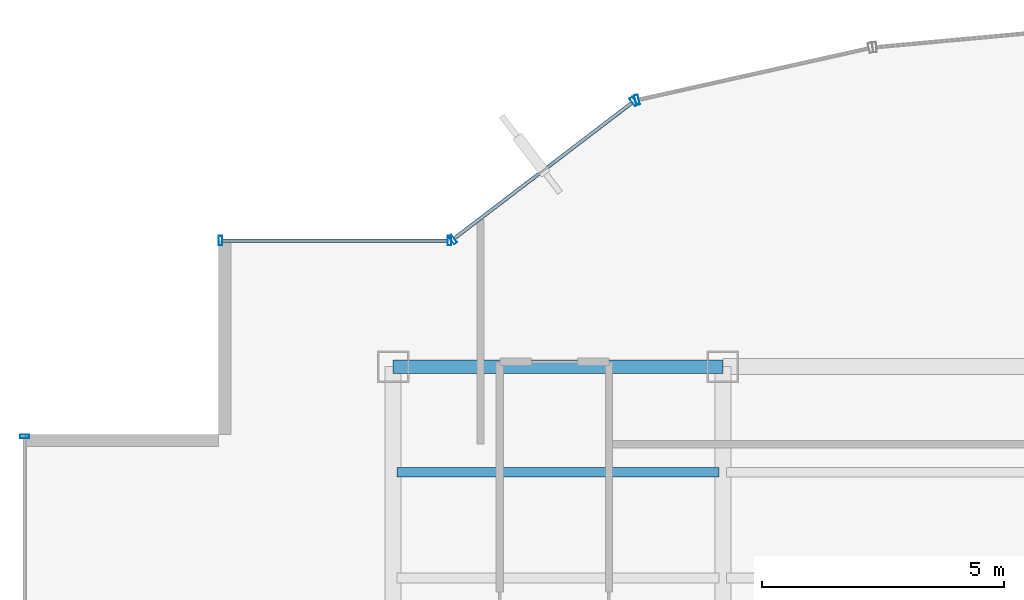
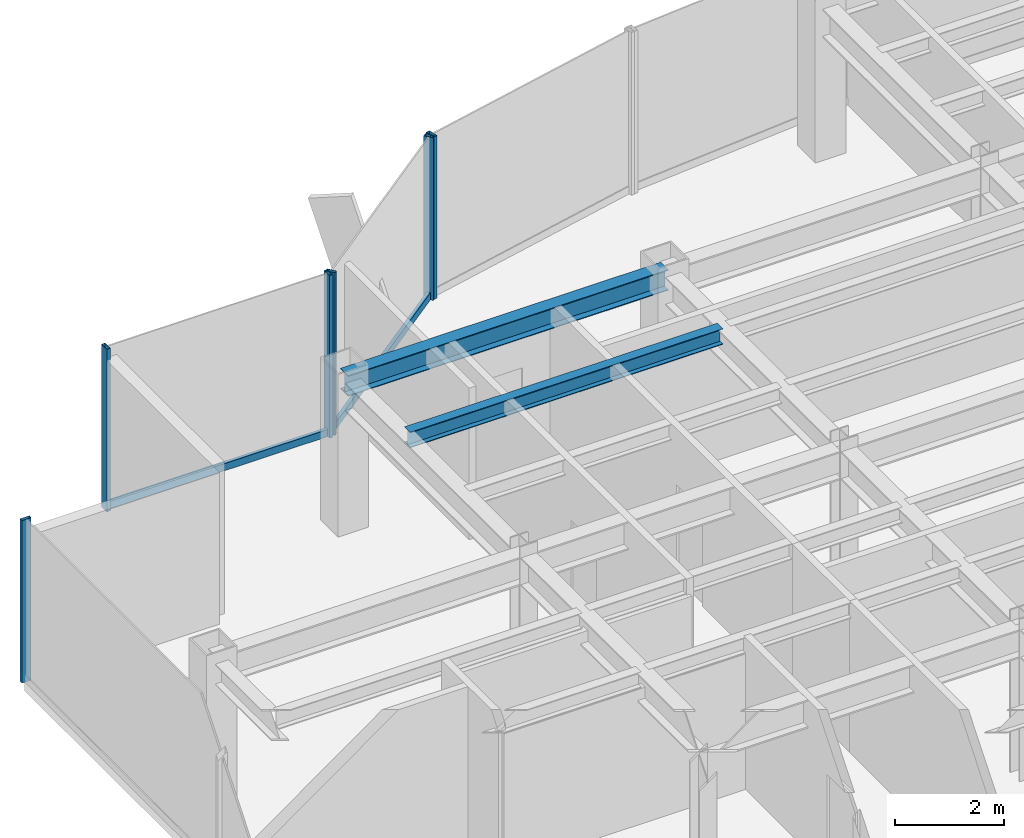
# One storey, part 14 of 25: 8 members, 2 beams, 4 elements without a shape of their own.
"""IFC4 building model written with IfcOpenShell, lengths in metres."""

from ifc_helpers import new_model, si_unit, derived_unit, direction, frame, origin, origin_2d, place, context, subcontext, project, spatial, hollow_rectangle, i_section, extrude, source, transform, mapped, material, material_profile, profile_set, type_object, element, aggregate, save


model = new_model("IFC4")

# Units and contexts
model_context = context("Model", 3, precision=1e-05, world=origin(), true_north=direction((0.0, 1.0)))
body_context = subcontext(model_context, "Body", "Model", "MODEL_VIEW")
ifc_project = project(units=[si_unit("LENGTHUNIT", "METRE"), si_unit("AREAUNIT", "SQUARE_METRE"), si_unit("VOLUMEUNIT", "CUBIC_METRE"), si_unit("PLANEANGLEUNIT", "RADIAN"), si_unit("MASSUNIT", "GRAM", prefix="KILO"), derived_unit("THERMALTRANSMITTANCEUNIT", [(si_unit("POWERUNIT", "WATT"), 1), (si_unit("LENGTHUNIT", "METRE"), -2), (si_unit("THERMODYNAMICTEMPERATUREUNIT", "KELVIN"), -1)])], contexts=[model_context])

# Site, building, storey
site_placement = place(None, origin())
site = spatial("IfcSite", under=ifc_project, at=site_placement, CompositionType="ELEMENT")
building_placement = place(site_placement, origin())
building = spatial("IfcBuilding", under=site, at=building_placement, Name="Skarnbrae Concourse Arena and Tower", CompositionType="ELEMENT")
storey_placement = place(building_placement, frame((0.0, 0.0, 155.199951171875)))
storey = spatial("IfcBuildingStorey", under=building, at=storey_placement, Name="L39", CompositionType="ELEMENT", Elevation=155.199951171875)

# Beams
ifc_material_1 = material(Name="Steel CSA G40.21 350W", Category="steel")
ifc_material_profile_1 = material_profile(ifc_material_1, i_section(OverallWidth=0.280029296875, OverallDepth=0.462890625, WebThickness=0.0107421875, FlangeThickness=0.017333984375, at=origin_2d()), Name="W460X113")
ifc_profile_set_1 = profile_set([ifc_material_profile_1], Name="Steel CSA G40.21 350W")
beam_type_1 = type_object("IfcBeamType", Name="BM-SPAN-W460X113", PredefinedType="SPANDREL", material=ifc_profile_set_1)
shared_shape_1 = source(origin(), body_context, "Body", "SweptSolid", [
    extrude(i_section(OverallWidth=0.280029296875, OverallDepth=0.462890625, WebThickness=0.0107421875, FlangeThickness=0.017333984375, at=origin_2d()), origin(), (0.0, 0.0, 1.0), 6.7998046875),
])
beam_1_placement = place(storey_placement, frame((7.60009765625, 34.39990234375, 3.16845703125), z_axis=(1.0, 0.0, 0.0), x_axis=(0.0, 1.0, 0.0)))
element("IfcBeam", 1, at=beam_1_placement, inside=storey, type_object=beam_type_1, Name="L39 Perimeter spandrel Y34.4-1", PredefinedType="SPANDREL", context=body_context, shape_type="MappedRepresentation", body=[
    mapped(shared_shape_1, transform((0.0, 0.0, 0.0))),
])
ifc_material_profile_2 = material_profile(ifc_material_1, i_section(OverallWidth=0.205078125, OverallDepth=0.35400390625, WebThickness=0.009521484375, FlangeThickness=0.016845703125, at=origin_2d()), Name="W360X79")
ifc_profile_set_2 = profile_set([ifc_material_profile_2], Name="Steel CSA G40.21 350W")
beam_type_2 = type_object("IfcBeamType", Name="BM-JOIST-W360X79", PredefinedType="JOIST", material=ifc_profile_set_2)
shared_shape_2 = source(origin(), body_context, "Body", "SweptSolid", [
    extrude(i_section(OverallWidth=0.205078125, OverallDepth=0.35400390625, WebThickness=0.009521484375, FlangeThickness=0.016845703125, at=origin_2d()), origin(), (0.0, 0.0, 1.0), 6.64013671875),
])
beam_2_placement = place(storey_placement, frame((7.679931640625, 32.221923828125, 3.22314453125), z_axis=(1.0, 0.0, 0.0), x_axis=(0.0, 1.0, 0.0)))
element("IfcBeam", 2, at=beam_2_placement, inside=storey, type_object=beam_type_2, Name="L39 Secondary floor joist 3.2.1", PredefinedType="JOIST", context=body_context, shape_type="MappedRepresentation", body=[
    mapped(shared_shape_2, transform((0.0, 0.0, 0.0))),
])

# Curtain wall, member
ifc_material_2 = material(Name="Bronze anodised aluminium 6063-T6", Category="aluminium")
curtain_wall_type_1 = type_object("IfcCurtainWallType", Name="CW-SYS-03-PORTAL", PredefinedType="USERDEFINED", material=ifc_material_2)
curtain_wall_1_placement = place(storey_placement, origin())
curtain_wall_1 = element("IfcCurtainWall", 3, at=curtain_wall_1_placement, inside=storey, type_object=curtain_wall_type_1, Name="L39 Unitised curtain wall CW-L39-E13", ObjectType="UNITISED CURTAIN WALL", PredefinedType="USERDEFINED")
ifc_material_profile_3 = material_profile(ifc_material_2, hollow_rectangle(XDim=0.080078125, YDim=0.2099609375, WallThickness=0.00439453125, at=origin_2d()), Name="ALU-MULL-80X210")
ifc_profile_set_3 = profile_set([ifc_material_profile_3], Name="Bronze anodised aluminium 6063-T6")
member_type_1 = type_object("IfcMemberType", Name="CWM-CW-03", PredefinedType="MULLION", material=ifc_profile_set_3)
shared_shape_3 = source(origin(), body_context, "Body", "SweptSolid", [
    extrude(hollow_rectangle(XDim=0.080078125, YDim=0.2099609375, WallThickness=0.00439453125, at=origin_2d()), origin(), (0.0, 0.0, 1.0), 3.650146484375),
])
member_1_placement = place(storey_placement, frame((12.62939453125, 39.9013671875, 0.0), z_axis=(0.0, 0.0, 1.0), x_axis=(-0.975936175393, -0.218056372433, 0.0)))
member_1 = element("IfcMember", 4, at=member_1_placement, type_object=member_type_1, Name="CW-L39-E13 Mullion 2", PredefinedType="MULLION", context=body_context, shape_type="MappedRepresentation", body=[
    mapped(shared_shape_3, transform((0.0, 0.0, 0.0))),
])
aggregate(curtain_wall_1, [member_1])

# Curtain wall, members
curtain_wall_type_2 = type_object("IfcCurtainWallType", Name="CW-SYS-04-MIDZONE", PredefinedType="USERDEFINED", material=ifc_material_2)
curtain_wall_2_placement = place(storey_placement, origin())
curtain_wall_2 = element("IfcCurtainWall", 5, at=curtain_wall_2_placement, inside=storey, type_object=curtain_wall_type_2, Name="L39 Unitised curtain wall CW-L39-E14", ObjectType="UNITISED CURTAIN WALL", PredefinedType="USERDEFINED")
ifc_material_profile_4 = material_profile(ifc_material_2, hollow_rectangle(XDim=0.074951171875, YDim=0.195068359375, WallThickness=0.00439453125, at=origin_2d()), Name="ALU-MULL-75X195")
ifc_profile_set_4 = profile_set([ifc_material_profile_4], Name="Bronze anodised aluminium 6063-T6")
member_type_2 = type_object("IfcMemberType", Name="CWM-CW-04", PredefinedType="MULLION", material=ifc_profile_set_4)
shared_shape_4 = source(origin(), body_context, "Body", "SweptSolid", [
    extrude(hollow_rectangle(XDim=0.074951171875, YDim=0.195068359375, WallThickness=0.00439453125, at=origin_2d()), origin(), (0.0, 0.0, 1.0), 3.650146484375),
])
member_2_placement = place(storey_placement, frame((12.560791015625, 39.869873046875, 0.0), z_axis=(0.0, 0.0, 1.0), x_axis=(-0.794956000706, -0.606667089054, 0.0)))
member_2 = element("IfcMember", 6, at=member_2_placement, type_object=member_type_2, Name="CW-L39-E14 Mullion 1", PredefinedType="MULLION", context=body_context, shape_type="MappedRepresentation", body=[
    mapped(shared_shape_4, transform((0.0, 0.0, 0.0))),
])
member_3_placement = place(storey_placement, frame((8.829833984375, 37.022705078125, 0.0), z_axis=(0.0, 0.0, 1.0), x_axis=(-0.794956000706, -0.606667089054, 0.0)))
member_3 = element("IfcMember", 7, at=member_3_placement, type_object=member_type_2, Name="CW-L39-E14 Mullion 2", PredefinedType="MULLION", context=body_context, shape_type="MappedRepresentation", body=[
    mapped(shared_shape_4, transform((0.0, 0.0, 0.0))),
])

curtain_wall_3_placement = place(storey_placement, origin())
curtain_wall_3 = element("IfcCurtainWall", 8, at=curtain_wall_3_placement, inside=storey, type_object=curtain_wall_type_2, Name="L39 Unitised curtain wall CW-L39-E15", ObjectType="UNITISED CURTAIN WALL", PredefinedType="USERDEFINED")
member_4_placement = place(storey_placement, frame((8.762451171875, 37.0, 0.0), z_axis=(0.0, 0.0, 1.0), x_axis=(-1.0, 0.0, 0.0)))
member_4 = element("IfcMember", 9, at=member_4_placement, type_object=member_type_2, Name="CW-L39-E15 Mullion 1", PredefinedType="MULLION", context=body_context, shape_type="MappedRepresentation", body=[
    mapped(shared_shape_4, transform((0.0, 0.0, 0.0))),
])
member_5_placement = place(storey_placement, frame((4.03759765625, 37.0, 0.0), z_axis=(0.0, 0.0, 1.0), x_axis=(-1.0, 0.0, 0.0)))
member_5 = element("IfcMember", 10, at=member_5_placement, type_object=member_type_2, Name="CW-L39-E15 Mullion 2", PredefinedType="MULLION", context=body_context, shape_type="MappedRepresentation", body=[
    mapped(shared_shape_4, transform((0.0, 0.0, 0.0))),
])

# Curtain wall, member
curtain_wall_4_placement = place(storey_placement, origin())
curtain_wall_4 = element("IfcCurtainWall", 11, at=curtain_wall_4_placement, inside=storey, type_object=curtain_wall_type_2, Name="L39 Unitised curtain wall CW-L39-E18", ObjectType="UNITISED CURTAIN WALL", PredefinedType="USERDEFINED")
member_6_placement = place(storey_placement, frame((0.0, 32.96240234375, 0.0), z_axis=(0.0, 0.0, 1.0), x_axis=(0.0, -1.0, 0.0)))
member_6 = element("IfcMember", 12, at=member_6_placement, type_object=member_type_2, Name="CW-L39-E18 Mullion 1", PredefinedType="MULLION", context=body_context, shape_type="MappedRepresentation", body=[
    mapped(shared_shape_4, transform((0.0, 0.0, 0.0))),
])
aggregate(curtain_wall_4, [member_6])

# Member
ifc_material_profile_5 = material_profile(ifc_material_2, hollow_rectangle(XDim=0.074951171875, YDim=0.159912109375, WallThickness=0.00439453125, at=origin_2d()), Name="ALU-TRAN-75X160")
ifc_profile_set_5 = profile_set([ifc_material_profile_5], Name="Bronze anodised aluminium 6063-T6")
member_type_3 = type_object("IfcMemberType", Name="CWT-CW-04", PredefinedType="USERDEFINED", material=ifc_profile_set_5)
shared_shape_5 = source(origin(), body_context, "Body", "SweptSolid", [
    extrude(hollow_rectangle(XDim=0.074951171875, YDim=0.159912109375, WallThickness=0.00439453125, at=origin_2d()), origin(), (0.0, 0.0, 1.0), 4.650146484375),
])
member_7_placement = place(storey_placement, frame((8.72509765625, 37.0, 0.080078125), z_axis=(-1.0, 0.0, 0.0), x_axis=(0.0, -1.0, 0.0)))
member_7 = element("IfcMember", 13, at=member_7_placement, type_object=member_type_3, Name="CW-L39-E15 Transom 1", ObjectType="TRANSOM", PredefinedType="USERDEFINED", context=body_context, shape_type="MappedRepresentation", body=[
    mapped(shared_shape_5, transform((0.0, 0.0, 0.0))),
])

aggregate(curtain_wall_3, [member_4, member_5, member_7])

shared_shape_6 = source(origin(), body_context, "Body", "SweptSolid", [
    extrude(hollow_rectangle(XDim=0.074951171875, YDim=0.159912109375, WallThickness=0.00439453125, at=origin_2d()), origin(), (0.0, 0.0, 1.0), 4.618408203125),
])
member_8_placement = place(storey_placement, frame((12.531005859375, 39.84716796875, 0.080078125), z_axis=(-0.794960638756, -0.606661011462, 0.0), x_axis=(0.606661011462, -0.794960638756, 0.0)))
member_8 = element("IfcMember", 14, at=member_8_placement, type_object=member_type_3, Name="CW-L39-E14 Transom 1", ObjectType="TRANSOM", PredefinedType="USERDEFINED", context=body_context, shape_type="MappedRepresentation", body=[
    mapped(shared_shape_6, transform((0.0, 0.0, 0.0))),
])

aggregate(curtain_wall_2, [member_2, member_3, member_8])

save(model, "model.ifc")
